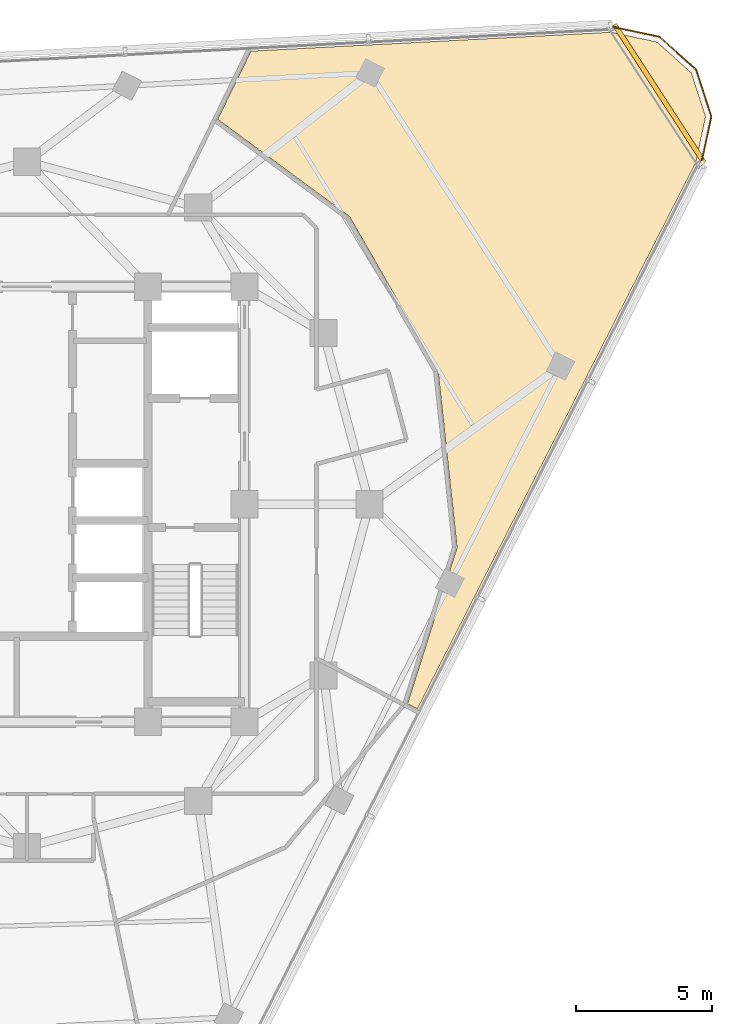
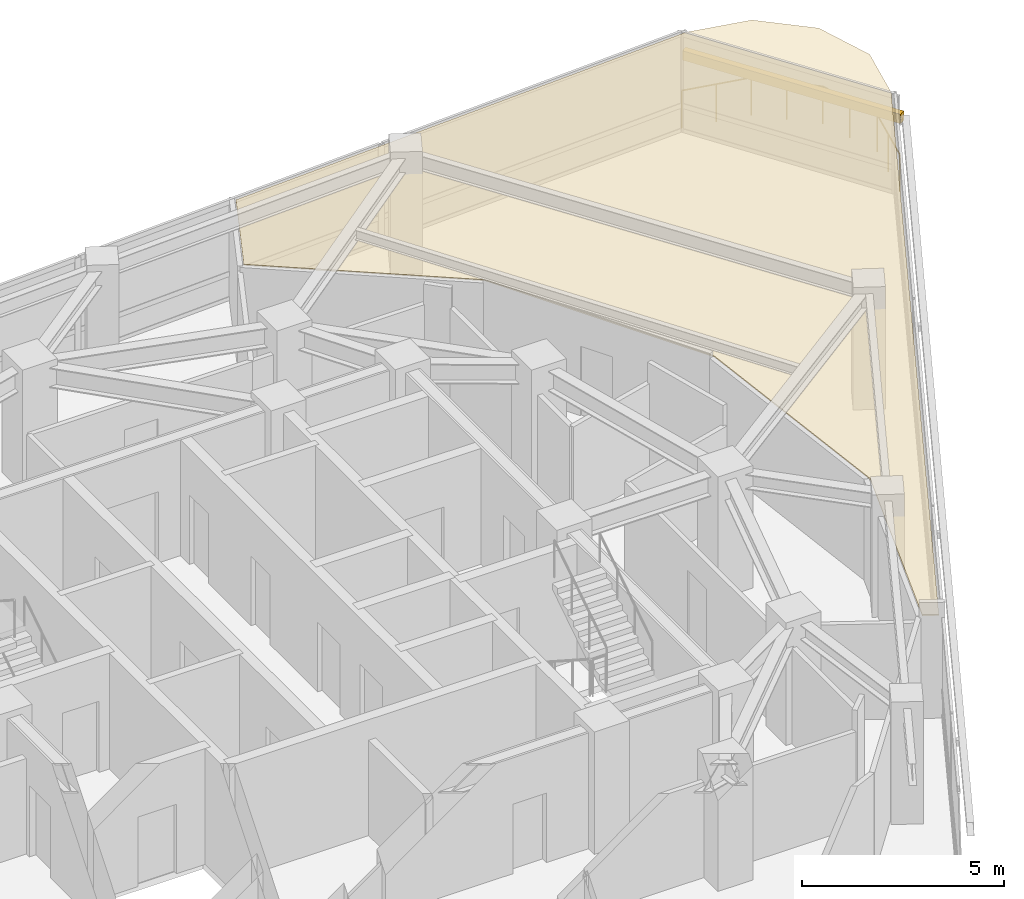
# One storey, part 15 of 15: 1 covering, 1 railing, 1 shading device.
"""IFC4 building model written with IfcOpenShell, lengths in metres."""

import ifcopenshell
import ifcopenshell.guid

model = None  # the IFC model being written
_history = None  # IfcOwnerHistory: only IFC2X3 demands one
_inside = {}  # id of a spatial element -> (the spatial element, [elements in it])
_under = {}  # id of a project, library or spatial element -> (it, [spatial elements below it])
_declared = {}  # id of a project -> (the project, [libraries it declares])
_typed = {}  # id of a type object -> (the type object, [elements of that type])
_made_of = {}  # id of a material, layer set ... -> (it, [elements and type objects made of it])


def new_model(schema):
    """Start an empty IFC model of exactly this schema.

    Asked for "IFC4X3", IfcOpenShell would pick the latest addendum, in which some entities
    have other attributes; the version numbers below select the first issue.
    IFC2X3 requires an IfcOwnerHistory on every rooted entity: one is made here for all.
    """
    global model, _history
    if schema == "IFC4X3":
        model = ifcopenshell.file(schema_version=(4, 3, 0, 0))
    else:
        model = ifcopenshell.file(schema=schema)
    _inside.clear()
    _under.clear()
    _declared.clear()
    _typed.clear()
    _made_of.clear()
    _history = None
    if model.schema == "IFC2X3":
        org = make("IfcOrganization", Name="unknown")
        user = make(
            "IfcPersonAndOrganization",
            ThePerson=make("IfcPerson", FamilyName="unknown"),
            TheOrganization=org,
        )
        app = make(
            "IfcApplication",
            ApplicationDeveloper=org,
            Version="unknown",
            ApplicationFullName="unknown",
            ApplicationIdentifier="unknown",
        )
        _history = make(
            "IfcOwnerHistory",
            OwningUser=user,
            OwningApplication=app,
            ChangeAction="ADDED",
            CreationDate=0,
        )
    return model


def make(cls, **values):
    """One entity of the class cls with the attributes given. An attribute that is None is left unset."""
    return model.create_entity(
        cls, **{name: value for name, value in values.items() if value is not None}
    )


def rooted(cls, **values):
    """An entity with a GlobalId (a new one), such as an element, a storey or a relation."""
    return make(cls, GlobalId=ifcopenshell.guid.new(), OwnerHistory=_history, **values)


def si_unit(unit_type, name, prefix=None):
    """IfcSIUnit, for example si_unit("LENGTHUNIT", "METRE", prefix="MILLI")."""
    return make("IfcSIUnit", UnitType=unit_type, Prefix=prefix, Name=name)


def assignment(units):
    """IfcUnitAssignment: the units of a project."""
    return None if units is None else make("IfcUnitAssignment", Units=units)


def point(xyz):
    """IfcCartesianPoint."""
    return None if xyz is None else make("IfcCartesianPoint", Coordinates=xyz)


def direction(xyz):
    """IfcDirection."""
    return None if xyz is None else make("IfcDirection", DirectionRatios=xyz)


def frame(location, z_axis=None, x_axis=None):
    """IfcAxis2Placement3D, a coordinate frame: its origin and axes. An axis left out is left unset."""
    return make(
        "IfcAxis2Placement3D",
        Location=point(location),
        Axis=direction(z_axis),
        RefDirection=direction(x_axis),
    )


def frame_2d(location, x_axis=None):
    """IfcAxis2Placement2D, a coordinate frame in the plane: its origin and x axis."""
    return make(
        "IfcAxis2Placement2D", Location=point(location), RefDirection=direction(x_axis)
    )


def origin():
    """The frame at (0, 0, 0) with its axes left unset."""
    return frame((0.0, 0.0, 0.0))


def origin_2d():
    """The frame at (0, 0) in the plane with its x axis left unset."""
    return frame_2d((0.0, 0.0))


def place(relative_to, where):
    """IfcLocalPlacement: puts the frame where relative to a parent placement (None: the world)."""
    return make(
        "IfcLocalPlacement", PlacementRelTo=relative_to, RelativePlacement=where
    )


def context(
    kind, dimensions, precision=None, world=None, true_north=None, identifier=None
):
    """IfcGeometricRepresentationContext, for example the 3D "Model" context."""
    return make(
        "IfcGeometricRepresentationContext",
        ContextIdentifier=identifier,
        ContextType=kind,
        CoordinateSpaceDimension=dimensions,
        Precision=precision,
        WorldCoordinateSystem=world,
        TrueNorth=true_north,
    )


def subcontext(parent, identifier, kind, view, scale=None):
    """IfcGeometricRepresentationSubContext, for example "Body" below "Model"."""
    return make(
        "IfcGeometricRepresentationSubContext",
        ContextIdentifier=identifier,
        ContextType=kind,
        ParentContext=parent,
        TargetScale=scale,
        TargetView=view,
    )


def project(units=None, contexts=None):
    """IfcProject with its units and contexts."""
    return rooted(
        "IfcProject",
        Name="project",
        RepresentationContexts=contexts,
        UnitsInContext=assignment(units),
    )


def spatial(cls, under=None, at=None, **own):
    """A site, building, storey or space (cls), placed at a placement, below another one or the project."""
    s = rooted(cls, ObjectPlacement=at, **own)
    if under is not None:
        _under.setdefault(under.id(), (under, []))[1].append(s)
    return s


def polyline(points):
    """IfcPolyline through the points."""
    return make("IfcPolyline", Points=[point(p) for p in points])


def profile(cls, at=None, kind="AREA", **sizes):
    """A parametric profile (cls). Its sizes go by their IFC names, for example OverallWidth=200.0."""
    return make(cls, ProfileType=kind, Position=at, **sizes)


def rectangle(**sizes):
    """IfcRectangleProfileDef."""
    return profile("IfcRectangleProfileDef", **sizes)


def circle(**sizes):
    """IfcCircleProfileDef."""
    return profile("IfcCircleProfileDef", **sizes)


def outline(outer, holes=None, kind="AREA"):
    """IfcArbitraryClosedProfileDef: a profile drawn as a closed curve; with holes, ...WithVoids."""
    if holes is None:
        return make("IfcArbitraryClosedProfileDef", ProfileType=kind, OuterCurve=outer)
    return make(
        "IfcArbitraryProfileDefWithVoids",
        ProfileType=kind,
        OuterCurve=outer,
        InnerCurves=holes,
    )


def extrude(swept, where, along, depth):
    """IfcExtrudedAreaSolid: the profile swept, set in the frame where, extruded along a direction by depth."""
    return make(
        "IfcExtrudedAreaSolid",
        SweptArea=swept,
        Position=where,
        ExtrudedDirection=direction(along),
        Depth=depth,
    )


def shape(context_of_items, identifier, shape_type, items):
    """IfcShapeRepresentation: the items that make up one representation, for example the "Body"."""
    return make(
        "IfcShapeRepresentation",
        ContextOfItems=context_of_items,
        RepresentationIdentifier=identifier,
        RepresentationType=shape_type,
        Items=items,
    )


def material(Name=None, Category=None):
    """IfcMaterial."""
    return make("IfcMaterial", Name=Name, Category=Category)


def layer(
    of_material, thickness, ventilated=None, Name=None, Category=None, Priority=None
):
    """IfcMaterialLayer: one layer of a wall or slab, of a material (None: an air gap)."""
    return make(
        "IfcMaterialLayer",
        Material=of_material,
        LayerThickness=thickness,
        IsVentilated=ventilated,
        Name=Name,
        Category=Category,
        Priority=Priority,
    )


def layer_set(layers, Name=None):
    """IfcMaterialLayerSet."""
    return make("IfcMaterialLayerSet", MaterialLayers=layers, LayerSetName=Name)


def made_of(thing, what):
    """Note that an element or type object is made of a material, layer set ...; save() writes the relation."""
    if what is not None:
        _made_of.setdefault(what.id(), (what, []))[1].append(thing)
    return thing


def type_object(cls, material=None, **own):
    """A type object (cls), such as IfcWallType, which elements share."""
    return made_of(rooted(cls, **own), material)


def element(
    cls,
    number,
    at=None,
    inside=None,
    cuts=None,
    type_object=None,
    material=None,
    context=None,
    identifier="Body",
    shape_type=None,
    held_by="IfcProductDefinitionShape",
    body=None,
    shapes=None,
    **own,
):
    """One element of the class cls, such as IfcWall. Its Tag is "e" and its number.

    at: its placement. inside: the storey or other place that contains it. cuts: it is an
    opening in that element (IfcRelVoidsElement). A single representation is given by context,
    identifier, shape_type and body (its items); several are given by shapes. held_by: the class
    of the entity that holds the representations. save() writes the other relations.
    """
    e = rooted(cls, Tag="e%d" % number, ObjectPlacement=at, **own)
    if body is not None:
        shapes = [shape(context, identifier, shape_type, body)]
    if shapes is not None:
        e.Representation = make(held_by, Representations=shapes)
    if inside is not None:
        _inside.setdefault(inside.id(), (inside, []))[1].append(e)
    if cuts is not None:
        rooted(
            "IfcRelVoidsElement", RelatingBuildingElement=cuts, RelatedOpeningElement=e
        )
    if type_object is not None:
        _typed.setdefault(type_object.id(), (type_object, []))[1].append(e)
    return made_of(e, material)


def aggregate(whole, parts):
    """IfcRelAggregates: a whole, such as a stair, and the parts it consists of."""
    return rooted("IfcRelAggregates", RelatingObject=whole, RelatedObjects=parts)


def save(model, path):
    """Write the relations noted so far, then the file.

    IfcRelAggregates (storeys below a building ...), IfcRelContainedInSpatialStructure (elements
    in a storey), IfcRelDefinesByType, IfcRelAssociatesMaterial and IfcRelDeclares: one each for
    every whole, place, type object, material and project.
    """
    for whole, parts in _under.values():
        aggregate(whole, parts)
    for where, things in _inside.values():
        rooted(
            "IfcRelContainedInSpatialStructure",
            RelatedElements=things,
            RelatingStructure=where,
        )
    for kind, things in _typed.values():
        rooted("IfcRelDefinesByType", RelatedObjects=things, RelatingType=kind)
    for what, things in _made_of.values():
        rooted("IfcRelAssociatesMaterial", RelatedObjects=things, RelatingMaterial=what)
    for by, libraries in _declared.values():
        rooted("IfcRelDeclares", RelatingContext=by, RelatedDefinitions=libraries)
    model.write(path)


model = new_model("IFC4")

# Units and contexts
model_context = context("Model", 3, precision=1e-05, world=origin(), true_north=direction((0.0, 1.0)))
body_context = subcontext(model_context, "Body", "Model", "MODEL_VIEW")
ifc_project = project(units=[si_unit("LENGTHUNIT", "METRE"), si_unit("AREAUNIT", "SQUARE_METRE"), si_unit("VOLUMEUNIT", "CUBIC_METRE"), si_unit("PLANEANGLEUNIT", "RADIAN"), si_unit("MASSUNIT", "GRAM", prefix="KILO")], contexts=[model_context])

# Site, building, storey
site_placement = place(None, origin())
site = spatial("IfcSite", under=ifc_project, at=site_placement, CompositionType="ELEMENT")
building_placement = place(site_placement, origin())
building = spatial("IfcBuilding", under=site, at=building_placement, Name="Terralouvre Media Tower", CompositionType="ELEMENT")
storey_placement = place(building_placement, frame((0.0, 0.0, 259.60009765625)))
storey = spatial("IfcBuildingStorey", under=building, at=storey_placement, Name="L67", CompositionType="ELEMENT", Elevation=259.60009765625)

# Covering
ifc_material_1 = material(Name="Perforated aluminium acoustic ceiling baffle", Category="aluminium")
ifc_layer_1 = layer(ifc_material_1, 0.0400390625, Name="Perforated Acoustic Metal Tile Ceiling CL-AC1")
ifc_layer_set_1 = layer_set([ifc_layer_1], Name="Perforated aluminium acoustic ceiling baffle")
covering_type = type_object("IfcCoveringType", Name="Perforated Acoustic Metal Tile Ceiling CL-AC1", PredefinedType="CEILING", material=ifc_layer_set_1)
covering_placement = place(storey_placement, frame((0.0, 0.0, 2.97998046875), z_axis=(0.0, 0.0, 1.0), x_axis=(0.45399049974, 0.891006524188, 0.0)))
element("IfcCovering", 1, at=covering_placement, inside=storey, type_object=covering_type, Name="L67 Breaking Desk Editorial Office 6 Acoustic Ceiling", PredefinedType="CEILING", context=body_context, shape_type="SweptSolid", body=[
    extrude(outline(polyline([(14.824462890625, -5.742919921875), (14.822265625, -5.753173828125), (14.819091796875, -5.762939453125), (14.81494140625, -5.7724609375), (14.8095703125, -5.781494140625), (11.255859375, -11.227294921875), (11.249755859375, -11.23583984375), (11.24267578125, -11.243408203125), (11.235107421875, -11.25048828125), (11.2265625, -11.256591796875), (5.781494140625, -14.809814453125), (5.7724609375, -14.815185546875), (5.762939453125, -14.8193359375), (5.753173828125, -14.822509765625), (5.742919921875, -14.824951171875), (-0.176025390625, -15.801513671875), (-0.182861328125, -16.212158203125), (22.371337890625, -16.212646484375), (24.036376953125, -15.766845703125), (25.234130859375, -14.569091796875), (25.672119140625, -12.9326171875), (25.226318359375, -11.267578125), (18.591552734375, 0.224853515625), (15.8017578125, 0.175537109375), (14.824462890625, -5.742919921875)])), origin(), (0.0, 0.0, 1.0), 0.0400390625),
])

# Railing
ifc_material_2 = material(Name="Stainless steel 316 handrail and balustrade", Category="steel")
ifc_layer_2 = layer(ifc_material_2, 0.06005859375, Name="Roof Edge Safety Guardrail GR-ROOF1")
ifc_layer_set_2 = layer_set([ifc_layer_2], Name="Stainless steel 316 handrail and balustrade")
railing_type = type_object("IfcRailingType", Name="Roof Edge Safety Guardrail GR-ROOF1", PredefinedType="GUARDRAIL", material=ifc_layer_set_2)
railing_placement = place(storey_placement, frame((24.797607421875, 12.491455078125, 0.0)))
element("IfcRailing", 2, at=railing_placement, inside=storey, type_object=railing_type, Name="L67 Wind-Corner Perimeter Safety Guardrail C1", PredefinedType="GUARDRAIL", context=body_context, shape_type="SweptSolid", body=[
    extrude(circle(Radius=0.02099609375, at=origin_2d()), frame((0.0, 0.0, 1.12890625), z_axis=(0.208129595218, 0.978101258354, 0.0), x_axis=(-0.978101258354, 0.208129595218, 0.0)), (0.0, 0.0, 1.0), 1.81103515625),
    extrude(circle(Radius=0.02099609375, at=origin_2d()), frame((0.376953125, 1.771484375, 1.12890625), z_axis=(-0.308857436997, 0.951108344833, 0.0), x_axis=(-0.951108344833, -0.308857436997, 0.0)), (0.0, 0.0, 1.0), 1.81103515625),
    extrude(circle(Radius=0.02099609375, at=origin_2d()), frame((-0.182373046875, 3.493896484375, 1.12890625), z_axis=(-0.743274034333, 0.668987077518, 0.0), x_axis=(-0.668987077518, -0.743274034333, 0.0)), (0.0, 0.0, 1.0), 1.810791015625),
    extrude(circle(Radius=0.02099609375, at=origin_2d()), frame((-1.5283203125, 4.705322265625, 1.12890625), z_axis=(-0.97818932942, 0.207715275821, 0.0), x_axis=(-0.207715275821, -0.97818932942, 0.0)), (0.0, 0.0, 1.0), 1.811279296875),
    extrude(circle(Radius=0.01904296875, at=origin_2d()), origin(), (0.0, 0.0, 1.0), 1.10791015625),
    extrude(circle(Radius=0.01904296875, at=origin_2d()), frame((0.1884765625, 0.8857421875, 0.0)), (0.0, 0.0, 1.0), 1.10791015625),
    extrude(circle(Radius=0.01904296875, at=origin_2d()), frame((0.376953125, 1.771484375, 0.0)), (0.0, 0.0, 1.0), 1.10791015625),
    extrude(circle(Radius=0.01904296875, at=origin_2d()), frame((0.09716796875, 2.6328125, 0.0)), (0.0, 0.0, 1.0), 1.10791015625),
    extrude(circle(Radius=0.01904296875, at=origin_2d()), frame((-0.182373046875, 3.493896484375, 0.0)), (0.0, 0.0, 1.0), 1.10791015625),
    extrude(circle(Radius=0.01904296875, at=origin_2d()), frame((-0.85546875, 4.099609375, 0.0)), (0.0, 0.0, 1.0), 1.10791015625),
    extrude(circle(Radius=0.01904296875, at=origin_2d()), frame((-1.5283203125, 4.705322265625, 0.0)), (0.0, 0.0, 1.0), 1.10791015625),
    extrude(circle(Radius=0.01904296875, at=origin_2d()), frame((-2.4140625, 4.8935546875, 0.0)), (0.0, 0.0, 1.0), 1.10791015625),
    extrude(circle(Radius=0.01904296875, at=origin_2d()), frame((-3.300048828125, 5.08154296875, 0.0)), (0.0, 0.0, 1.0), 1.10791015625),
])

# Shading device
ifc_material_3 = material(Name="Extruded terracotta baguette sunshade louvres", Category="masonry")
shading_device_type = type_object("IfcShadingDeviceType", Name="Terracotta Baguette Sunshade Louvre Screen TB-LV1", PredefinedType="USERDEFINED", material=ifc_material_3)
shading_device_placement = place(storey_placement, frame((23.2607421875, 15.105712890625, 2.02392578125), z_axis=(0.0, 0.0, 1.0), x_axis=(-0.544639197097, 0.838670462688, 0.0)))
element("IfcShadingDevice", 3, at=shading_device_placement, inside=storey, type_object=shading_device_type, Name="CW-L67-C1 Terracotta Baguette Sunshade Louvre", ObjectType="BAGUETTE", PredefinedType="USERDEFINED", context=body_context, shape_type="SweptSolid", body=[
    extrude(rectangle(XDim=6.062255859375, YDim=0.179931640625, at=origin_2d()), origin(), (0.0, 0.0, 1.0), 0.280029296875),
])

save(model, "model.ifc")
